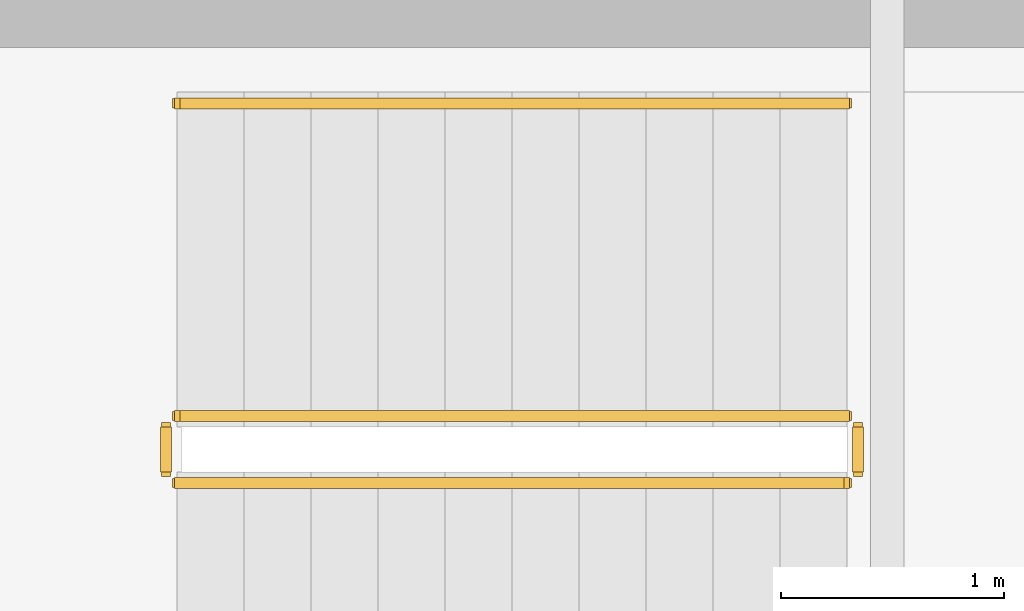
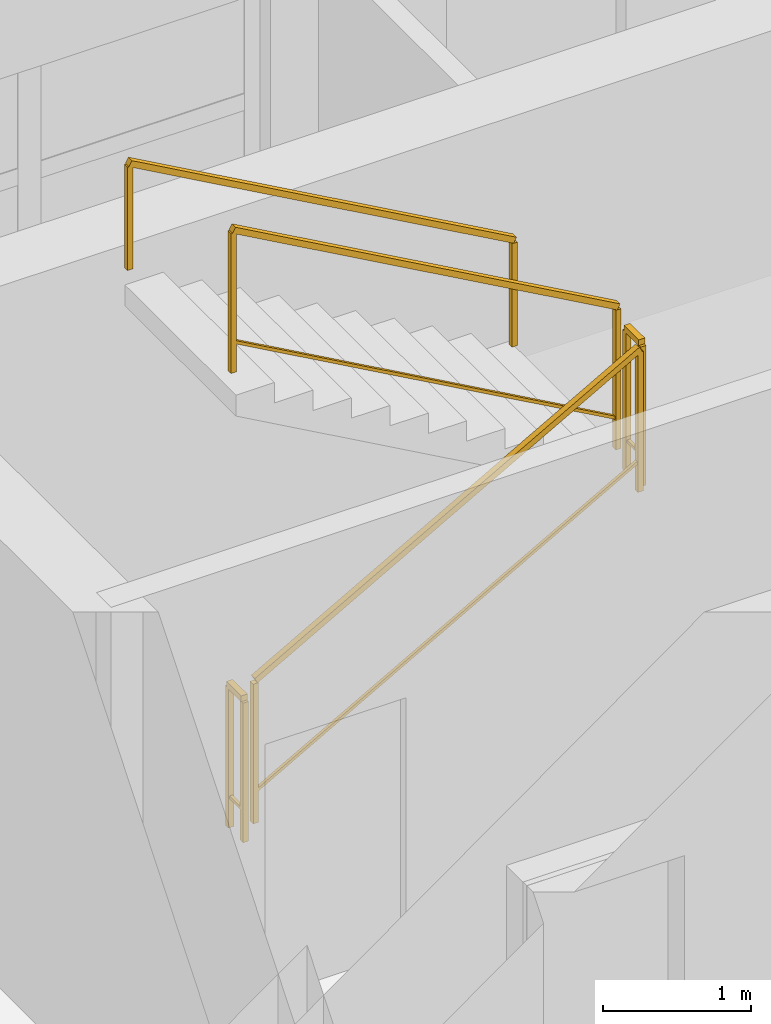
# One storey, part 12 of 12: 5 railings.
"""IFC4 building model written with IfcOpenShell, lengths in metres."""

from ifc_helpers import new_model, si_unit, direction, frame, origin, origin_2d, place, context, subcontext, project, spatial, rectangle, extrude, material, type_object, element, save


model = new_model("IFC4")

# Units and contexts
model_context = context("Model", 3, precision=1e-05, world=origin(), true_north=direction((0.0, 1.0)))
body_context = subcontext(model_context, "Body", "Model", "MODEL_VIEW")
ifc_project = project(units=[si_unit("LENGTHUNIT", "METRE"), si_unit("AREAUNIT", "SQUARE_METRE"), si_unit("VOLUMEUNIT", "CUBIC_METRE"), si_unit("PLANEANGLEUNIT", "RADIAN"), si_unit("MASSUNIT", "GRAM", prefix="KILO")], contexts=[model_context])

# Site, building, storey
site_placement = place(None, origin())
site = spatial("IfcSite", under=ifc_project, at=site_placement, CompositionType="ELEMENT")
building_placement = place(site_placement, origin())
building = spatial("IfcBuilding", under=site, at=building_placement, Name="Svetorya Sky Lyceum", CompositionType="ELEMENT")
storey_placement = place(building_placement, frame((0.0, 0.0, 177.39990234375)))
storey = spatial("IfcBuildingStorey", under=building, at=storey_placement, Name="L44", CompositionType="ELEMENT", Elevation=177.39990234375)

# Railings
ifc_material_1 = material(Name="Painted galvanized stair well guard")
railing_type_1 = type_object("IfcRailingType", Name="RL-STR-GUARD-1200", PredefinedType="GUARDRAIL", material=ifc_material_1)
railing_1_placement = place(storey_placement, frame((27.699951171875, 43.60009765625, 0.168212890625)))
element("IfcRailing", 1, at=railing_1_placement, inside=storey, type_object=railing_type_1, Name="L44 ST-N stair guard 1", PredefinedType="GUARDRAIL", context=body_context, shape_type="SweptSolid", body=[
    extrude(rectangle(XDim=0.048095703125, YDim=0.048095703125, at=origin_2d()), frame((0.0, 0.0, 1.17578125), z_axis=(0.872272294576, 0.0, 0.489020494575), x_axis=(0.0, 1.0, 0.0)), (0.0, 0.0, 1.0), 3.439208984375),
    extrude(rectangle(XDim=0.02392578125, YDim=0.02392578125, at=origin_2d()), frame((0.0, 0.0, 0.25), z_axis=(0.872272294576, 0.0, 0.489020494575), x_axis=(0.0, 1.0, 0.0)), (0.0, 0.0, 1.0), 3.439208984375),
    extrude(rectangle(XDim=0.0419921875, YDim=0.0419921875, at=origin_2d()), origin(), (0.0, 0.0, 1.0), 1.15185546875),
    extrude(rectangle(XDim=0.0419921875, YDim=0.0419921875, at=origin_2d()), frame((3.0, 0.0, 1.681884765625)), (0.0, 0.0, 1.0), 1.15185546875),
])
railing_2_placement = place(storey_placement, frame((30.75, 43.64990234375, 1.85009765625)))
element("IfcRailing", 2, at=railing_2_placement, inside=storey, type_object=railing_type_1, Name="L44 ST-N stair guard 2", PredefinedType="GUARDRAIL", context=body_context, shape_type="SweptSolid", body=[
    extrude(rectangle(XDim=0.048095703125, YDim=0.048095703125, at=origin_2d()), frame((0.0, 0.0, 1.17578125), z_axis=(0.0, 1.0, 0.0), x_axis=(-1.0, 0.0, 0.0)), (0.0, 0.0, 1.0), 0.2001953125),
    extrude(rectangle(XDim=0.02392578125, YDim=0.02392578125, at=origin_2d()), frame((0.0, 0.0, 0.25), z_axis=(0.0, 1.0, 0.0), x_axis=(-1.0, 0.0, 0.0)), (0.0, 0.0, 1.0), 0.2001953125),
    extrude(rectangle(XDim=0.0419921875, YDim=0.0419921875, at=origin_2d()), origin(), (0.0, 0.0, 1.0), 1.15185546875),
    extrude(rectangle(XDim=0.0419921875, YDim=0.0419921875, at=origin_2d()), frame((0.0, 0.2001953125, 0.0)), (0.0, 0.0, 1.0), 1.15185546875),
])
railing_3_placement = place(storey_placement, frame((30.699951171875, 43.89990234375, 2.018310546875)))
element("IfcRailing", 3, at=railing_3_placement, inside=storey, type_object=railing_type_1, Name="L44 ST-N stair guard 3", PredefinedType="GUARDRAIL", context=body_context, shape_type="SweptSolid", body=[
    extrude(rectangle(XDim=0.048095703125, YDim=0.048095703125, at=origin_2d()), frame((0.0, 0.0, 1.17578125), z_axis=(-0.872272294576, 0.0, 0.489020494575), x_axis=(0.0, -1.0, 0.0)), (0.0, 0.0, 1.0), 3.439208984375),
    extrude(rectangle(XDim=0.02392578125, YDim=0.02392578125, at=origin_2d()), frame((0.0, 0.0, 0.25), z_axis=(-0.872272294576, 0.0, 0.489020494575), x_axis=(0.0, -1.0, 0.0)), (0.0, 0.0, 1.0), 3.439208984375),
    extrude(rectangle(XDim=0.0419921875, YDim=0.0419921875, at=origin_2d()), origin(), (0.0, 0.0, 1.0), 1.15185546875),
    extrude(rectangle(XDim=0.0419921875, YDim=0.0419921875, at=origin_2d()), frame((-3.0, 0.0, 1.681884765625)), (0.0, 0.0, 1.0), 1.15185546875),
])
railing_4_placement = place(storey_placement, frame((27.64990234375, 43.64990234375, 0.0)))
element("IfcRailing", 4, at=railing_4_placement, inside=storey, type_object=railing_type_1, Name="L44 ST-N stair guard 4", PredefinedType="GUARDRAIL", context=body_context, shape_type="SweptSolid", body=[
    extrude(rectangle(XDim=0.048095703125, YDim=0.048095703125, at=origin_2d()), frame((0.0, 0.0, 1.17578125), z_axis=(0.0, 1.0, 0.0), x_axis=(-1.0, 0.0, 0.0)), (0.0, 0.0, 1.0), 0.2001953125),
    extrude(rectangle(XDim=0.02392578125, YDim=0.02392578125, at=origin_2d()), frame((0.0, 0.0, 0.25), z_axis=(0.0, 1.0, 0.0), x_axis=(-1.0, 0.0, 0.0)), (0.0, 0.0, 1.0), 0.2001953125),
    extrude(rectangle(XDim=0.0419921875, YDim=0.0419921875, at=origin_2d()), origin(), (0.0, 0.0, 1.0), 1.15185546875),
    extrude(rectangle(XDim=0.0419921875, YDim=0.0419921875, at=origin_2d()), frame((0.0, 0.2001953125, 0.0)), (0.0, 0.0, 1.0), 1.15185546875),
])
ifc_material_2 = material(Name="Brushed stainless AISI 304 stair handrail")
railing_type_2 = type_object("IfcRailingType", Name="RL-STR-HAND-920", PredefinedType="HANDRAIL", material=ifc_material_2)
railing_5_placement = place(storey_placement, frame((30.699951171875, 45.300048828125, 2.018310546875)))
element("IfcRailing", 5, at=railing_5_placement, inside=storey, type_object=railing_type_2, Name="L44 ST-N stair handrail 2", PredefinedType="HANDRAIL", context=body_context, shape_type="SweptSolid", body=[
    extrude(rectangle(XDim=0.048095703125, YDim=0.048095703125, at=origin_2d()), frame((0.0, 0.0, 0.8759765625), z_axis=(-0.872272294576, 0.0, 0.489020494575), x_axis=(0.0, -1.0, 0.0)), (0.0, 0.0, 1.0), 3.439208984375),
    extrude(rectangle(XDim=0.0419921875, YDim=0.0419921875, at=origin_2d()), origin(), (0.0, 0.0, 1.0), 0.851806640625),
    extrude(rectangle(XDim=0.0419921875, YDim=0.0419921875, at=origin_2d()), frame((-3.0, 0.0, 1.681884765625)), (0.0, 0.0, 1.0), 0.851806640625),
])

save(model, "model.ifc")
